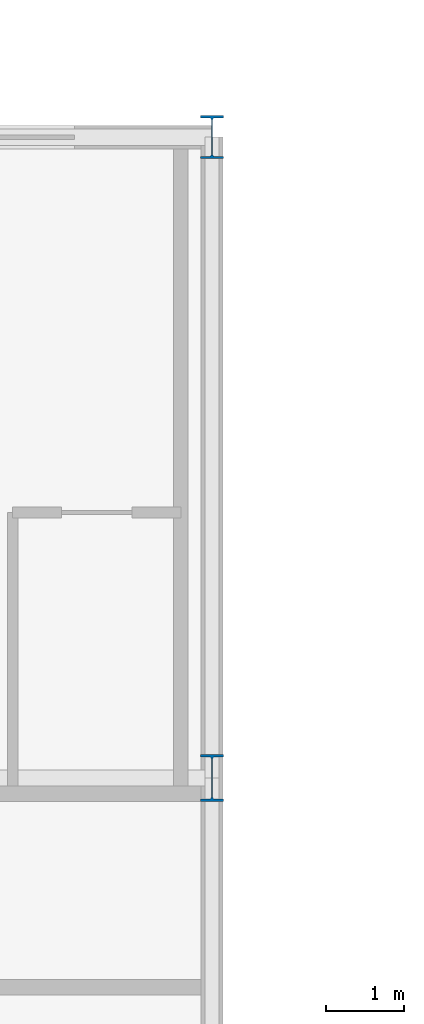
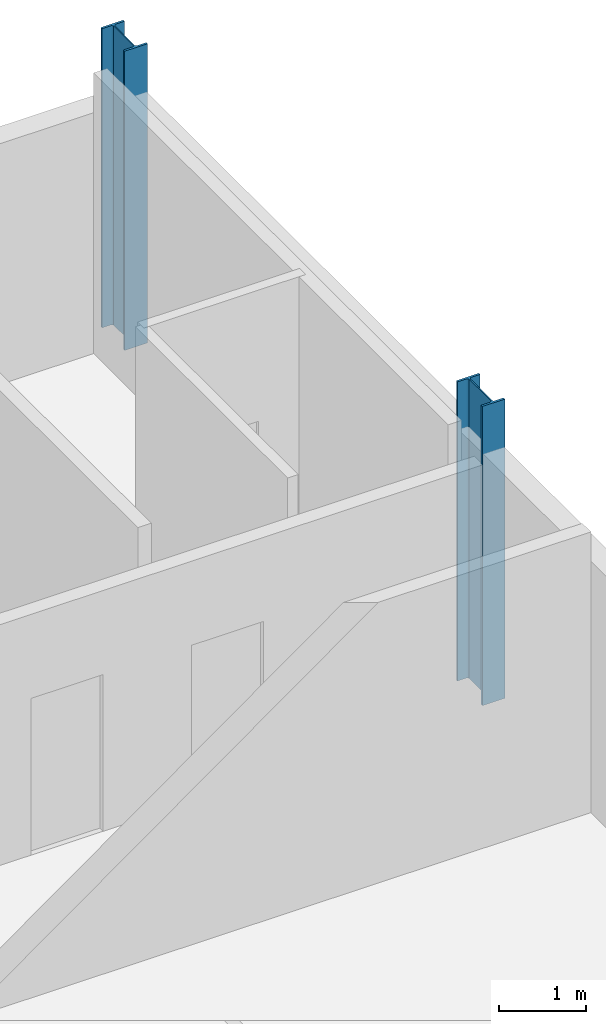
# One storey, part 9 of 45: 2 columns.
"""IFC4 building model written with IfcOpenShell, lengths in metres."""

from ifc_helpers import new_model, si_unit, direction, frame, origin, origin_2d, place, context, subcontext, project, spatial, i_section, extrude, material, material_profile, profile_set, type_object, element, save


model = new_model("IFC4")

# Units and contexts
model_context = context("Model", 3, precision=1e-05, world=origin(), true_north=direction((0.0, 1.0)))
body_context = subcontext(model_context, "Body", "Model", "MODEL_VIEW")
ifc_project = project(units=[si_unit("LENGTHUNIT", "METRE"), si_unit("AREAUNIT", "SQUARE_METRE"), si_unit("VOLUMEUNIT", "CUBIC_METRE"), si_unit("PLANEANGLEUNIT", "RADIAN"), si_unit("MASSUNIT", "GRAM", prefix="KILO")], contexts=[model_context])

# Site, building, storey
site_placement = place(None, origin())
site = spatial("IfcSite", under=ifc_project, at=site_placement, CompositionType="ELEMENT")
building_placement = place(site_placement, origin())
building = spatial("IfcBuilding", under=site, at=building_placement, Name="Sefraquen Railside Congress Hotel", CompositionType="ELEMENT")
storey_placement = place(building_placement, frame((0.0, 0.0, 20.39990234375)))
storey = spatial("IfcBuildingStorey", under=building, at=storey_placement, Name="L04", CompositionType="ELEMENT", Elevation=20.39990234375)

# Columns
ifc_material = material(Name="Steel S355JR", Category="steel")
ifc_material_profile_1 = material_profile(ifc_material, i_section(OverallWidth=0.300048828125, OverallDepth=0.550048828125, WebThickness=0.014892578125, FlangeThickness=0.029052734375, FilletRadius=0.027099609375, at=origin_2d()), Name="HEB 550")
ifc_profile_set_1 = profile_set([ifc_material_profile_1], Name="Steel S355JR")
column_type_1 = type_object("IfcColumnType", Name="TC-HEB-550", PredefinedType="COLUMN", material=ifc_profile_set_1)
column_1_placement = place(storey_placement, frame((120.0, 118.0, 0.0), z_axis=(0.0, 0.0, 1.0), x_axis=(1.0, 0.0, 0.0)))
element("IfcColumn", 1, at=column_1_placement, inside=storey, type_object=column_type_1, Name="Structural column 16-Q L04", PredefinedType="COLUMN", context=body_context, shape_type="SweptSolid", body=[
    extrude(i_section(OverallWidth=0.300048828125, OverallDepth=0.550048828125, WebThickness=0.014892578125, FlangeThickness=0.029052734375, FilletRadius=0.027099609375, at=origin_2d()), origin(), (0.0, 0.0, 1.0), 4.2001953125),
])
ifc_material_profile_2 = material_profile(ifc_material, i_section(OverallWidth=0.300048828125, OverallDepth=0.60009765625, WebThickness=0.015380859375, FlangeThickness=0.030029296875, FilletRadius=0.027099609375, at=origin_2d()), Name="HEB 600")
ifc_profile_set_2 = profile_set([ifc_material_profile_2], Name="Steel S355JR")
column_type_2 = type_object("IfcColumnType", Name="TC-HEB-600", PredefinedType="COLUMN", material=ifc_profile_set_2)
column_2_placement = place(storey_placement, frame((120.0, 109.800048828125, 0.0), z_axis=(0.0, 0.0, 1.0), x_axis=(1.0, 0.0, 0.0)))
element("IfcColumn", 2, at=column_2_placement, inside=storey, type_object=column_type_2, Name="Structural column 16-P L04", PredefinedType="COLUMN", context=body_context, shape_type="SweptSolid", body=[
    extrude(i_section(OverallWidth=0.300048828125, OverallDepth=0.60009765625, WebThickness=0.015380859375, FlangeThickness=0.030029296875, FilletRadius=0.027099609375, at=origin_2d()), origin(), (0.0, 0.0, 1.0), 4.2001953125),
])

save(model, "model.ifc")
